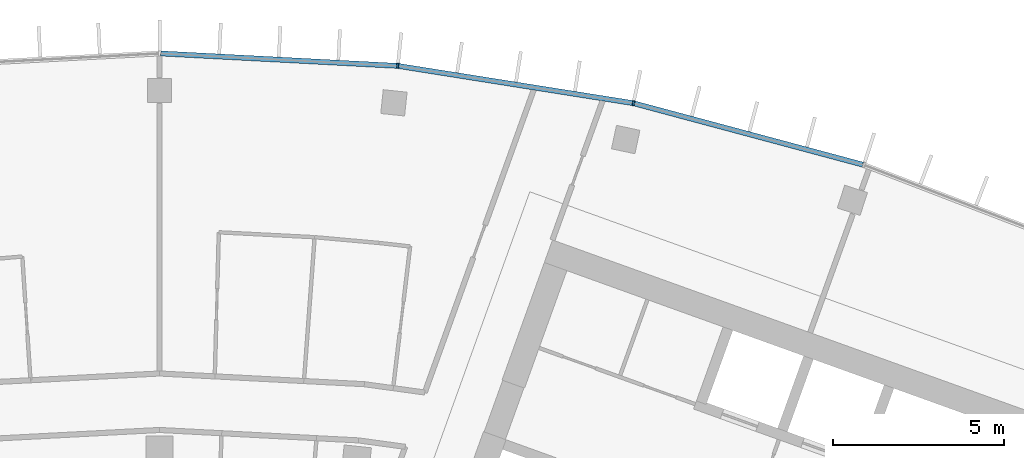
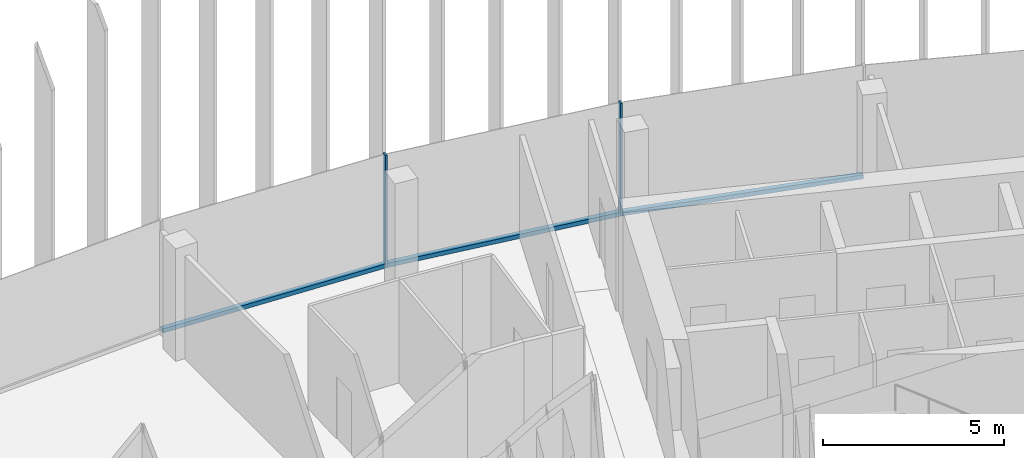
# One storey, part 7 of 19: 5 members, 1 element without a shape of its own.
"""IFC4 building model written with IfcOpenShell, lengths in metres."""

from ifc_helpers import new_model, si_unit, direction, frame, origin, origin_2d, place, context, subcontext, project, spatial, rectangle, extrude, material, layer, layer_set, material_profile, profile_set, type_object, element, aggregate, save


model = new_model("IFC4")

# Units and contexts
model_context = context("Model", 3, precision=1e-05, world=origin(), true_north=direction((0.0, 1.0)))
body_context = subcontext(model_context, "Body", "Model", "MODEL_VIEW")
ifc_project = project(units=[si_unit("LENGTHUNIT", "METRE"), si_unit("AREAUNIT", "SQUARE_METRE"), si_unit("VOLUMEUNIT", "CUBIC_METRE"), si_unit("PLANEANGLEUNIT", "RADIAN"), si_unit("MASSUNIT", "GRAM", prefix="KILO")], contexts=[model_context])

# Site, building, storey
site_placement = place(None, origin())
site = spatial("IfcSite", under=ifc_project, at=site_placement, CompositionType="ELEMENT")
building_placement = place(site_placement, origin())
building = spatial("IfcBuilding", under=site, at=building_placement, Name="Stone Belt Terrace Tower", CompositionType="ELEMENT")
storey_placement = place(building_placement, frame((0.0, 0.0, 280.800048828125)))
storey = spatial("IfcBuildingStorey", under=building, at=storey_placement, Name="L68", CompositionType="ELEMENT", Elevation=280.800048828125)

# Curtain wall, members
ifc_material = material(Name="Aluminium 6063-T6 anodised frame", Category="aluminium")
ifc_layer = layer(ifc_material, 0.14990234375)
ifc_layer_set = layer_set([ifc_layer], Name="CW-A unitised convex-face curtain wall")
curtain_wall_type = type_object("IfcCurtainWallType", Name="CW-A unitised convex-face curtain wall", PredefinedType="NOTDEFINED", material=ifc_layer_set)
curtain_wall_placement = place(storey_placement, origin())
curtain_wall = element("IfcCurtainWall", 1, at=curtain_wall_placement, inside=storey, type_object=curtain_wall_type, Name="CW-A convex face L68", PredefinedType="NOTDEFINED")
ifc_material_profile_1 = material_profile(ifc_material, rectangle(XDim=0.14990234375, YDim=0.06005859375, at=origin_2d()), Name="Aluminium 6063-T6 60x150")
ifc_profile_set_1 = profile_set([ifc_material_profile_1], Name="Aluminium 6063-T6 anodised frame")
member_type_1 = type_object("IfcMemberType", Name="CW-A mullion 60 x 150", PredefinedType="MULLION", material=ifc_profile_set_1)
member_1_placement = place(storey_placement, frame((13.841796875, 65.120361328125, 0.0), z_axis=(0.0, 0.0, 1.0), x_axis=(-0.207911690818, -0.978147600734, 0.0)))
member_1 = element("IfcMember", 2, at=member_1_placement, type_object=member_type_1, Name="CW-A mullion 6", PredefinedType="MULLION", context=body_context, shape_type="SweptSolid", body=[
    extrude(rectangle(XDim=0.14990234375, YDim=0.06005859375, at=origin_2d()), origin(), (0.0, 0.0, 1.0), 3.800048828125),
])
member_2_placement = place(storey_placement, frame((6.958984375, 66.21044921875, 0.0), z_axis=(0.0, 0.0, 1.0), x_axis=(-0.104528463268, -0.994521895368, 0.0)))
member_2 = element("IfcMember", 3, at=member_2_placement, type_object=member_type_1, Name="CW-A mullion 7", PredefinedType="MULLION", context=body_context, shape_type="SweptSolid", body=[
    extrude(rectangle(XDim=0.14990234375, YDim=0.06005859375, at=origin_2d()), origin(), (0.0, 0.0, 1.0), 3.800048828125),
])
ifc_material_profile_2 = material_profile(ifc_material, rectangle(XDim=0.14990234375, YDim=0.139892578125, at=origin_2d()), Name="Aluminium 6063-T6 150x140")
ifc_profile_set_2 = profile_set([ifc_material_profile_2], Name="Aluminium 6063-T6 anodised frame")
member_type_2 = type_object("IfcMemberType", Name="CW-A transom 140 x 150", PredefinedType="USERDEFINED", material=ifc_profile_set_2)
member_3_placement = place(storey_placement, frame((20.5400390625, 63.325439453125, 0.070068359375), z_axis=(-0.965921835863, 0.258833937117, 0.0), x_axis=(-0.258833937117, -0.965921835863, 0.0)))
member_3 = element("IfcMember", 4, at=member_3_placement, type_object=member_type_2, Name="CW-A transom 5.1", ObjectType="TRANSOM", PredefinedType="USERDEFINED", context=body_context, shape_type="SweptSolid", body=[
    extrude(rectangle(XDim=0.14990234375, YDim=0.139892578125, at=origin_2d()), origin(), (0.0, 0.0, 1.0), 6.900634765625),
])
member_4_placement = place(storey_placement, frame((13.808349609375, 65.12548828125, 0.070068359375), z_axis=(-0.987687120531, 0.156442168027, 0.0), x_axis=(-0.156442168027, -0.987687120531, 0.0)))
member_4 = element("IfcMember", 5, at=member_4_placement, type_object=member_type_2, Name="CW-A transom 6.1", ObjectType="TRANSOM", PredefinedType="USERDEFINED", context=body_context, shape_type="SweptSolid", body=[
    extrude(rectangle(XDim=0.14990234375, YDim=0.139892578125, at=origin_2d()), origin(), (0.0, 0.0, 1.0), 6.90087890625),
])
member_5_placement = place(storey_placement, frame((6.925048828125, 66.212158203125, 0.070068359375), z_axis=(-0.998630019135, 0.052326712899, 0.0), x_axis=(-0.052326712899, -0.998630019135, 0.0)))
member_5 = element("IfcMember", 6, at=member_5_placement, type_object=member_type_2, Name="CW-A transom 7.1", ObjectType="TRANSOM", PredefinedType="USERDEFINED", context=body_context, shape_type="SweptSolid", body=[
    extrude(rectangle(XDim=0.14990234375, YDim=0.139892578125, at=origin_2d()), origin(), (0.0, 0.0, 1.0), 6.900634765625),
])
aggregate(curtain_wall, [member_1, member_2, member_3, member_4, member_5])

save(model, "model.ifc")
